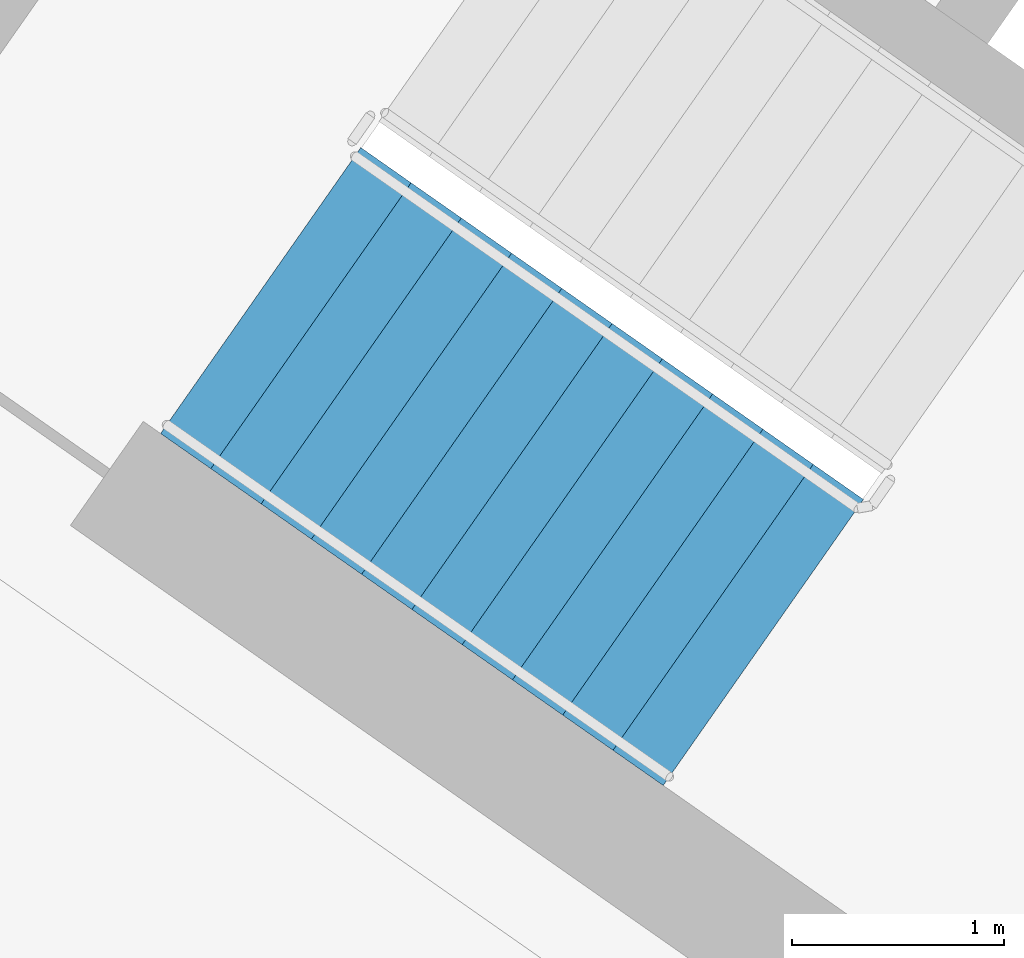
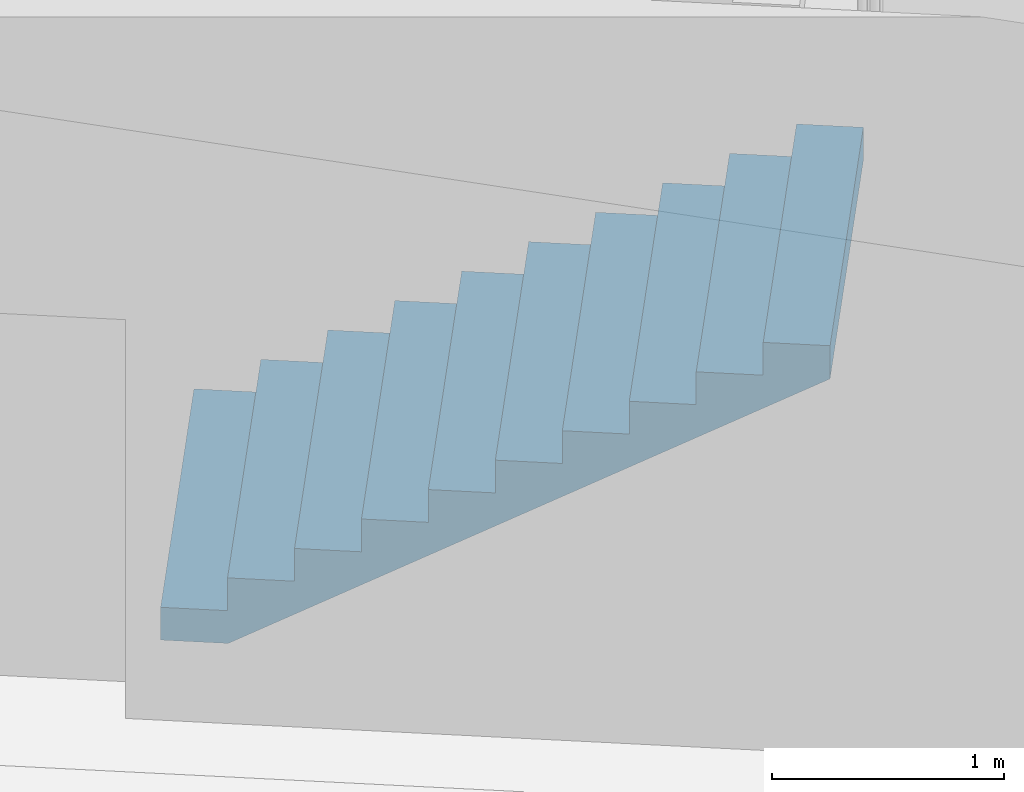
# One storey, part 10 of 28: 1 stair flight, 1 element without a shape of its own.
"""IFC4 building model written with IfcOpenShell, lengths in metres."""

from ifc_helpers import new_model, si_unit, direction, frame, origin, place, context, subcontext, project, spatial, faceted_brep, material, type_object, element, aggregate, save


model = new_model("IFC4")

# Units and contexts
model_context = context("Model", 3, precision=1e-05, world=origin(), true_north=direction((0.0, 1.0)))
body_context = subcontext(model_context, "Body", "Model", "MODEL_VIEW")
ifc_project = project(units=[si_unit("LENGTHUNIT", "METRE"), si_unit("AREAUNIT", "SQUARE_METRE"), si_unit("VOLUMEUNIT", "CUBIC_METRE"), si_unit("PLANEANGLEUNIT", "RADIAN"), si_unit("MASSUNIT", "GRAM", prefix="KILO")], contexts=[model_context])

# Site, building, storey
site_placement = place(None, origin())
site = spatial("IfcSite", under=ifc_project, at=site_placement, CompositionType="ELEMENT")
building_placement = place(site_placement, origin())
building = spatial("IfcBuilding", under=site, at=building_placement, Name="Qamariyya Broadcast Tower", CompositionType="ELEMENT")
storey_placement = place(building_placement, frame((0.0, 0.0, 230.300048828125)))
storey = spatial("IfcBuildingStorey", under=building, at=storey_placement, Name="L55", CompositionType="ELEMENT", Elevation=230.300048828125)

# Stair, stair flight
ifc_material = material(Name="Concrete C50/60", Category="concrete")
stair_type = type_object("IfcStairType", Name="Exit stair 22 risers of 173 mm", PredefinedType="HALF_TURN_STAIR", material=ifc_material)
stair_placement = place(storey_placement, origin())
stair = element("IfcStair", 1, at=stair_placement, inside=storey, type_object=stair_type, Name="L55 Stair W1", PredefinedType="HALF_TURN_STAIR")
stair_flight_type = type_object("IfcStairFlightType", Name="Exit stair flight 11 risers of 173 mm", PredefinedType="STRAIGHT", material=ifc_material)
stair_flight_placement = place(storey_placement, frame((-47.06884765625, -56.982666015625, 0.0), z_axis=(0.0, 0.0, 1.0), x_axis=(0.819152044289, -0.573576436351, 0.0)))
stair_flight = element("IfcStairFlight", 2, at=stair_flight_placement, type_object=stair_flight_type, Name="ST-W1 flight 1", NumberOfRisers=11, NumberOfTreads=10, PredefinedType="STRAIGHT", RiserHeight=0.172727273, TreadLength=0.29, context=body_context, shape_type="Brep", body=[
    faceted_brep([(0.0, 0.824951171875, 0.0), (0.0, 0.824951171875, 0.172607421875), (0.2900390625, 0.824951171875, 0.172607421875), (0.2900390625, 0.824951171875, 0.345458984375), (0.580078125, 0.824951171875, 0.345458984375), (0.580078125, 0.824951171875, 0.51806640625), (0.8701171875, 0.824951171875, 0.51806640625), (0.8701171875, 0.824951171875, 0.69091796875), (1.159912109375, 0.824951171875, 0.69091796875), (1.159912109375, 0.824951171875, 0.863525390625), (1.449951171875, 0.824951171875, 0.863525390625), (1.449951171875, 0.824951171875, 1.036376953125), (1.739990234375, 0.824951171875, 1.036376953125), (1.739990234375, 0.824951171875, 1.208984375), (2.030029296875, 0.824951171875, 1.208984375), (2.030029296875, 0.824951171875, 1.3818359375), (2.320068359375, 0.824951171875, 1.3818359375), (2.320068359375, 0.824951171875, 1.554443359375), (2.610107421875, 0.824951171875, 1.554443359375), (2.610107421875, 0.824951171875, 1.727294921875), (2.89990234375, 0.824951171875, 1.727294921875), (2.89990234375, 0.824951171875, 1.552734375), (0.29296875, 0.824951171875, 0.0), (0.29296875, -0.824951171875, 0.0), (2.89990234375, -0.824951171875, 1.552734375), (2.89990234375, -0.824951171875, 1.727294921875), (2.610107421875, -0.824951171875, 1.727294921875), (2.610107421875, -0.824951171875, 1.554443359375), (2.320068359375, -0.824951171875, 1.554443359375), (2.320068359375, -0.824951171875, 1.3818359375), (2.030029296875, -0.824951171875, 1.3818359375), (2.030029296875, -0.824951171875, 1.208984375), (1.739990234375, -0.824951171875, 1.208984375), (1.739990234375, -0.824951171875, 1.036376953125), (1.449951171875, -0.824951171875, 1.036376953125), (1.449951171875, -0.824951171875, 0.863525390625), (1.159912109375, -0.824951171875, 0.863525390625), (1.159912109375, -0.824951171875, 0.69091796875), (0.8701171875, -0.824951171875, 0.69091796875), (0.8701171875, -0.824951171875, 0.51806640625), (0.580078125, -0.824951171875, 0.51806640625), (0.580078125, -0.824951171875, 0.345458984375), (0.2900390625, -0.824951171875, 0.345458984375), (0.2900390625, -0.824951171875, 0.172607421875), (0.0, -0.824951171875, 0.172607421875), (0.0, -0.824951171875, 0.0), (0.0, 0.10009765625, 0.0), (0.0, 0.086669921875, 0.0), (0.0, 0.0732421875, 0.0), (0.0, 0.06005859375, 0.0), (0.0, 0.046630859375, 0.0), (0.0, 0.033447265625, 0.0), (0.0, 0.02001953125, 0.0), (0.0, 0.006591796875, 0.0), (0.0, -0.006591796875, 0.0), (0.0, -0.02001953125, 0.0), (0.0, -0.033447265625, 0.0), (0.0, -0.046630859375, 0.0), (0.0, -0.06005859375, 0.0), (0.0, -0.0732421875, 0.0), (0.0, -0.086669921875, 0.0), (0.0, -0.10009765625, 0.0), (0.0, -0.10009765625, 0.172607421875), (0.0, -0.086669921875, 0.172607421875), (0.0, -0.0732421875, 0.172607421875), (0.0, -0.06005859375, 0.172607421875), (0.0, -0.046630859375, 0.172607421875), (0.0, -0.033447265625, 0.172607421875), (0.0, -0.02001953125, 0.172607421875), (0.0, -0.006591796875, 0.172607421875), (0.0, 0.006591796875, 0.172607421875), (0.0, 0.02001953125, 0.172607421875), (0.0, 0.033447265625, 0.172607421875), (0.0, 0.046630859375, 0.172607421875), (0.0, 0.06005859375, 0.172607421875), (0.0, 0.0732421875, 0.172607421875), (0.0, 0.086669921875, 0.172607421875), (0.0, 0.10009765625, 0.172607421875), (0.2900390625, -0.10009765625, 0.172607421875), (0.2900390625, -0.086669921875, 0.172607421875), (0.2900390625, -0.0732421875, 0.172607421875), (0.2900390625, -0.06005859375, 0.172607421875), (0.2900390625, -0.046630859375, 0.172607421875), (0.2900390625, -0.033447265625, 0.172607421875), (0.2900390625, -0.02001953125, 0.172607421875), (0.2900390625, -0.006591796875, 0.172607421875), (0.2900390625, 0.006591796875, 0.172607421875), (0.2900390625, 0.02001953125, 0.172607421875), (0.2900390625, 0.033447265625, 0.172607421875), (0.2900390625, 0.046630859375, 0.172607421875), (0.2900390625, 0.06005859375, 0.172607421875), (0.2900390625, 0.0732421875, 0.172607421875), (0.2900390625, 0.086669921875, 0.172607421875), (0.2900390625, 0.10009765625, 0.172607421875), (0.2900390625, -0.10009765625, 0.345458984375), (0.2900390625, -0.086669921875, 0.345458984375), (0.2900390625, -0.0732421875, 0.345458984375), (0.2900390625, -0.06005859375, 0.345458984375), (0.2900390625, -0.046630859375, 0.345458984375), (0.2900390625, -0.033447265625, 0.345458984375), (0.2900390625, -0.02001953125, 0.345458984375), (0.2900390625, -0.006591796875, 0.345458984375), (0.2900390625, 0.006591796875, 0.345458984375), (0.2900390625, 0.02001953125, 0.345458984375), (0.2900390625, 0.033447265625, 0.345458984375), (0.2900390625, 0.046630859375, 0.345458984375), (0.2900390625, 0.06005859375, 0.345458984375), (0.2900390625, 0.0732421875, 0.345458984375), (0.2900390625, 0.086669921875, 0.345458984375), (0.2900390625, 0.10009765625, 0.345458984375), (0.580078125, -0.10009765625, 0.345458984375), (0.580078125, -0.086669921875, 0.345458984375), (0.580078125, -0.0732421875, 0.345458984375), (0.580078125, -0.06005859375, 0.345458984375), (0.580078125, -0.046630859375, 0.345458984375), (0.580078125, -0.033447265625, 0.345458984375), (0.580078125, -0.02001953125, 0.345458984375), (0.580078125, -0.006591796875, 0.345458984375), (0.580078125, 0.006591796875, 0.345458984375), (0.580078125, 0.02001953125, 0.345458984375), (0.580078125, 0.033447265625, 0.345458984375), (0.580078125, 0.046630859375, 0.345458984375), (0.580078125, 0.06005859375, 0.345458984375), (0.580078125, 0.0732421875, 0.345458984375), (0.580078125, 0.086669921875, 0.345458984375), (0.580078125, 0.10009765625, 0.345458984375), (0.580078125, -0.10009765625, 0.51806640625), (0.580078125, -0.086669921875, 0.51806640625), (0.580078125, -0.0732421875, 0.51806640625), (0.580078125, -0.06005859375, 0.51806640625), (0.580078125, -0.046630859375, 0.51806640625), (0.580078125, -0.033447265625, 0.51806640625), (0.580078125, -0.02001953125, 0.51806640625), (0.580078125, -0.006591796875, 0.51806640625), (0.580078125, 0.006591796875, 0.51806640625), (0.580078125, 0.02001953125, 0.51806640625), (0.580078125, 0.033447265625, 0.51806640625), (0.580078125, 0.046630859375, 0.51806640625), (0.580078125, 0.06005859375, 0.51806640625), (0.580078125, 0.0732421875, 0.51806640625), (0.580078125, 0.086669921875, 0.51806640625), (0.580078125, 0.10009765625, 0.51806640625), (0.8701171875, -0.10009765625, 0.51806640625), (0.8701171875, -0.086669921875, 0.51806640625), (0.8701171875, -0.0732421875, 0.51806640625), (0.8701171875, -0.06005859375, 0.51806640625), (0.8701171875, -0.046630859375, 0.51806640625), (0.8701171875, -0.033447265625, 0.51806640625), (0.8701171875, -0.02001953125, 0.51806640625), (0.8701171875, -0.006591796875, 0.51806640625), (0.8701171875, 0.006591796875, 0.51806640625), (0.8701171875, 0.02001953125, 0.51806640625), (0.8701171875, 0.033447265625, 0.51806640625), (0.8701171875, 0.046630859375, 0.51806640625), (0.8701171875, 0.06005859375, 0.51806640625), (0.8701171875, 0.0732421875, 0.51806640625), (0.8701171875, 0.086669921875, 0.51806640625), (0.8701171875, 0.10009765625, 0.51806640625), (0.8701171875, -0.10009765625, 0.69091796875), (0.8701171875, -0.086669921875, 0.69091796875), (0.8701171875, -0.0732421875, 0.69091796875), (0.8701171875, -0.06005859375, 0.69091796875), (0.8701171875, -0.046630859375, 0.69091796875), (0.8701171875, -0.033447265625, 0.69091796875), (0.8701171875, -0.02001953125, 0.69091796875), (0.8701171875, -0.006591796875, 0.69091796875), (0.8701171875, 0.006591796875, 0.69091796875), (0.8701171875, 0.02001953125, 0.69091796875), (0.8701171875, 0.033447265625, 0.69091796875), (0.8701171875, 0.046630859375, 0.69091796875), (0.8701171875, 0.06005859375, 0.69091796875), (0.8701171875, 0.0732421875, 0.69091796875), (0.8701171875, 0.086669921875, 0.69091796875), (0.8701171875, 0.10009765625, 0.69091796875), (1.159912109375, -0.10009765625, 0.69091796875), (1.159912109375, -0.086669921875, 0.69091796875), (1.159912109375, -0.0732421875, 0.69091796875), (1.159912109375, -0.06005859375, 0.69091796875), (1.159912109375, -0.046630859375, 0.69091796875), (1.159912109375, -0.033447265625, 0.69091796875), (1.159912109375, -0.02001953125, 0.69091796875), (1.159912109375, -0.006591796875, 0.69091796875), (1.159912109375, 0.006591796875, 0.69091796875), (1.159912109375, 0.02001953125, 0.69091796875), (1.159912109375, 0.033447265625, 0.69091796875), (1.159912109375, 0.046630859375, 0.69091796875), (1.159912109375, 0.06005859375, 0.69091796875), (1.159912109375, 0.0732421875, 0.69091796875), (1.159912109375, 0.086669921875, 0.69091796875), (1.159912109375, 0.10009765625, 0.69091796875), (1.159912109375, -0.10009765625, 0.863525390625), (1.159912109375, -0.086669921875, 0.863525390625), (1.159912109375, -0.0732421875, 0.863525390625), (1.159912109375, -0.06005859375, 0.863525390625), (1.159912109375, -0.046630859375, 0.863525390625), (1.159912109375, -0.033447265625, 0.863525390625), (1.159912109375, -0.02001953125, 0.863525390625), (1.159912109375, -0.006591796875, 0.863525390625), (1.159912109375, 0.006591796875, 0.863525390625), (1.159912109375, 0.02001953125, 0.863525390625), (1.159912109375, 0.033447265625, 0.863525390625), (1.159912109375, 0.046630859375, 0.863525390625), (1.159912109375, 0.06005859375, 0.863525390625), (1.159912109375, 0.0732421875, 0.863525390625), (1.159912109375, 0.086669921875, 0.863525390625), (1.159912109375, 0.10009765625, 0.863525390625), (1.449951171875, -0.10009765625, 0.863525390625), (1.449951171875, -0.086669921875, 0.863525390625), (1.449951171875, -0.0732421875, 0.863525390625), (1.449951171875, -0.06005859375, 0.863525390625), (1.449951171875, -0.046630859375, 0.863525390625), (1.449951171875, -0.033447265625, 0.863525390625), (1.449951171875, -0.02001953125, 0.863525390625), (1.449951171875, -0.006591796875, 0.863525390625), (1.449951171875, 0.006591796875, 0.863525390625), (1.449951171875, 0.02001953125, 0.863525390625), (1.449951171875, 0.033447265625, 0.863525390625), (1.449951171875, 0.046630859375, 0.863525390625), (1.449951171875, 0.06005859375, 0.863525390625), (1.449951171875, 0.0732421875, 0.863525390625), (1.449951171875, 0.086669921875, 0.863525390625), (1.449951171875, 0.10009765625, 0.863525390625), (1.449951171875, -0.10009765625, 1.036376953125), (1.449951171875, -0.086669921875, 1.036376953125), (1.449951171875, -0.0732421875, 1.036376953125), (1.449951171875, -0.06005859375, 1.036376953125), (1.449951171875, -0.046630859375, 1.036376953125), (1.449951171875, -0.033447265625, 1.036376953125), (1.449951171875, -0.02001953125, 1.036376953125), (1.449951171875, -0.006591796875, 1.036376953125), (1.449951171875, 0.006591796875, 1.036376953125), (1.449951171875, 0.02001953125, 1.036376953125), (1.449951171875, 0.033447265625, 1.036376953125), (1.449951171875, 0.046630859375, 1.036376953125), (1.449951171875, 0.06005859375, 1.036376953125), (1.449951171875, 0.0732421875, 1.036376953125), (1.449951171875, 0.086669921875, 1.036376953125), (1.449951171875, 0.10009765625, 1.036376953125), (1.739990234375, -0.10009765625, 1.036376953125), (1.739990234375, -0.086669921875, 1.036376953125), (1.739990234375, -0.0732421875, 1.036376953125), (1.739990234375, -0.06005859375, 1.036376953125), (1.739990234375, -0.046630859375, 1.036376953125), (1.739990234375, -0.033447265625, 1.036376953125), (1.739990234375, -0.02001953125, 1.036376953125), (1.739990234375, -0.006591796875, 1.036376953125), (1.739990234375, 0.006591796875, 1.036376953125), (1.739990234375, 0.02001953125, 1.036376953125), (1.739990234375, 0.033447265625, 1.036376953125), (1.739990234375, 0.046630859375, 1.036376953125), (1.739990234375, 0.06005859375, 1.036376953125), (1.739990234375, 0.0732421875, 1.036376953125), (1.739990234375, 0.086669921875, 1.036376953125), (1.739990234375, 0.10009765625, 1.036376953125), (1.739990234375, -0.10009765625, 1.208984375), (1.739990234375, -0.086669921875, 1.208984375), (1.739990234375, -0.0732421875, 1.208984375), (1.739990234375, -0.06005859375, 1.208984375), (1.739990234375, -0.046630859375, 1.208984375), (1.739990234375, -0.033447265625, 1.208984375), (1.739990234375, -0.02001953125, 1.208984375), (1.739990234375, -0.006591796875, 1.208984375), (1.739990234375, 0.006591796875, 1.208984375), (1.739990234375, 0.02001953125, 1.208984375), (1.739990234375, 0.033447265625, 1.208984375), (1.739990234375, 0.046630859375, 1.208984375), (1.739990234375, 0.06005859375, 1.208984375), (1.739990234375, 0.0732421875, 1.208984375), (1.739990234375, 0.086669921875, 1.208984375), (1.739990234375, 0.10009765625, 1.208984375), (2.030029296875, -0.10009765625, 1.208984375), (2.030029296875, -0.086669921875, 1.208984375), (2.030029296875, -0.0732421875, 1.208984375), (2.030029296875, -0.06005859375, 1.208984375), (2.030029296875, -0.046630859375, 1.208984375), (2.030029296875, -0.033447265625, 1.208984375), (2.030029296875, -0.02001953125, 1.208984375), (2.030029296875, -0.006591796875, 1.208984375), (2.030029296875, 0.006591796875, 1.208984375), (2.030029296875, 0.02001953125, 1.208984375), (2.030029296875, 0.033447265625, 1.208984375), (2.030029296875, 0.046630859375, 1.208984375), (2.030029296875, 0.06005859375, 1.208984375), (2.030029296875, 0.0732421875, 1.208984375), (2.030029296875, 0.086669921875, 1.208984375), (2.030029296875, 0.10009765625, 1.208984375), (2.030029296875, -0.10009765625, 1.3818359375), (2.030029296875, -0.086669921875, 1.3818359375), (2.030029296875, -0.0732421875, 1.3818359375), (2.030029296875, -0.06005859375, 1.3818359375), (2.030029296875, -0.046630859375, 1.3818359375), (2.030029296875, -0.033447265625, 1.3818359375), (2.030029296875, -0.02001953125, 1.3818359375), (2.030029296875, -0.006591796875, 1.3818359375), (2.030029296875, 0.006591796875, 1.3818359375), (2.030029296875, 0.02001953125, 1.3818359375), (2.030029296875, 0.033447265625, 1.3818359375), (2.030029296875, 0.046630859375, 1.3818359375), (2.030029296875, 0.06005859375, 1.3818359375), (2.030029296875, 0.0732421875, 1.3818359375), (2.030029296875, 0.086669921875, 1.3818359375), (2.030029296875, 0.10009765625, 1.3818359375), (2.320068359375, -0.10009765625, 1.3818359375), (2.320068359375, -0.086669921875, 1.3818359375), (2.320068359375, -0.0732421875, 1.3818359375), (2.320068359375, -0.06005859375, 1.3818359375), (2.320068359375, -0.046630859375, 1.3818359375), (2.320068359375, -0.033447265625, 1.3818359375), (2.320068359375, -0.02001953125, 1.3818359375), (2.320068359375, -0.006591796875, 1.3818359375), (2.320068359375, 0.006591796875, 1.3818359375), (2.320068359375, 0.02001953125, 1.3818359375), (2.320068359375, 0.033447265625, 1.3818359375), (2.320068359375, 0.046630859375, 1.3818359375), (2.320068359375, 0.06005859375, 1.3818359375), (2.320068359375, 0.0732421875, 1.3818359375), (2.320068359375, 0.086669921875, 1.3818359375), (2.320068359375, 0.10009765625, 1.3818359375), (2.320068359375, -0.10009765625, 1.554443359375), (2.320068359375, -0.086669921875, 1.554443359375), (2.320068359375, -0.0732421875, 1.554443359375), (2.320068359375, -0.06005859375, 1.554443359375), (2.320068359375, -0.046630859375, 1.554443359375), (2.320068359375, -0.033447265625, 1.554443359375), (2.320068359375, -0.02001953125, 1.554443359375), (2.320068359375, -0.006591796875, 1.554443359375), (2.320068359375, 0.006591796875, 1.554443359375), (2.320068359375, 0.02001953125, 1.554443359375), (2.320068359375, 0.033447265625, 1.554443359375), (2.320068359375, 0.046630859375, 1.554443359375), (2.320068359375, 0.06005859375, 1.554443359375), (2.320068359375, 0.0732421875, 1.554443359375), (2.320068359375, 0.086669921875, 1.554443359375), (2.320068359375, 0.10009765625, 1.554443359375), (2.610107421875, -0.10009765625, 1.554443359375), (2.610107421875, -0.086669921875, 1.554443359375), (2.610107421875, -0.0732421875, 1.554443359375), (2.610107421875, -0.06005859375, 1.554443359375), (2.610107421875, -0.046630859375, 1.554443359375), (2.610107421875, -0.033447265625, 1.554443359375), (2.610107421875, -0.02001953125, 1.554443359375), (2.610107421875, -0.006591796875, 1.554443359375), (2.610107421875, 0.006591796875, 1.554443359375), (2.610107421875, 0.02001953125, 1.554443359375), (2.610107421875, 0.033447265625, 1.554443359375), (2.610107421875, 0.046630859375, 1.554443359375), (2.610107421875, 0.06005859375, 1.554443359375), (2.610107421875, 0.0732421875, 1.554443359375), (2.610107421875, 0.086669921875, 1.554443359375), (2.610107421875, 0.10009765625, 1.554443359375), (2.610107421875, -0.10009765625, 1.727294921875), (2.610107421875, -0.086669921875, 1.727294921875), (2.610107421875, -0.0732421875, 1.727294921875), (2.610107421875, -0.06005859375, 1.727294921875), (2.610107421875, -0.046630859375, 1.727294921875), (2.610107421875, -0.033447265625, 1.727294921875), (2.610107421875, -0.02001953125, 1.727294921875), (2.610107421875, -0.006591796875, 1.727294921875), (2.610107421875, 0.006591796875, 1.727294921875), (2.610107421875, 0.02001953125, 1.727294921875), (2.610107421875, 0.033447265625, 1.727294921875), (2.610107421875, 0.046630859375, 1.727294921875), (2.610107421875, 0.06005859375, 1.727294921875), (2.610107421875, 0.0732421875, 1.727294921875), (2.610107421875, 0.086669921875, 1.727294921875), (2.610107421875, 0.10009765625, 1.727294921875), (2.89990234375, -0.10009765625, 1.727294921875), (2.89990234375, -0.086669921875, 1.727294921875), (2.89990234375, -0.0732421875, 1.727294921875), (2.89990234375, -0.06005859375, 1.727294921875), (2.89990234375, -0.046630859375, 1.727294921875), (2.89990234375, -0.033447265625, 1.727294921875), (2.89990234375, -0.02001953125, 1.727294921875), (2.89990234375, -0.006591796875, 1.727294921875), (2.89990234375, 0.006591796875, 1.727294921875), (2.89990234375, 0.02001953125, 1.727294921875), (2.89990234375, 0.033447265625, 1.727294921875), (2.89990234375, 0.046630859375, 1.727294921875), (2.89990234375, 0.06005859375, 1.727294921875), (2.89990234375, 0.0732421875, 1.727294921875), (2.89990234375, 0.086669921875, 1.727294921875), (2.89990234375, 0.10009765625, 1.727294921875), (2.89990234375, -0.10009765625, 1.552734375), (2.89990234375, -0.086669921875, 1.552734375), (2.89990234375, -0.0732421875, 1.552734375), (2.89990234375, -0.06005859375, 1.552734375), (2.89990234375, -0.046630859375, 1.552734375), (2.89990234375, -0.033447265625, 1.552734375), (2.89990234375, -0.02001953125, 1.552734375), (2.89990234375, -0.006591796875, 1.552734375), (2.89990234375, 0.006591796875, 1.552734375), (2.89990234375, 0.02001953125, 1.552734375), (2.89990234375, 0.033447265625, 1.552734375), (2.89990234375, 0.046630859375, 1.552734375), (2.89990234375, 0.06005859375, 1.552734375), (2.89990234375, 0.0732421875, 1.552734375), (2.89990234375, 0.086669921875, 1.552734375), (2.89990234375, 0.10009765625, 1.552734375), (0.29296875, -0.10009765625, 0.0), (0.29296875, -0.086669921875, 0.0), (0.29296875, -0.0732421875, 0.0), (0.29296875, -0.06005859375, 0.0), (0.29296875, -0.046630859375, 0.0), (0.29296875, -0.033447265625, 0.0), (0.29296875, -0.02001953125, 0.0), (0.29296875, -0.006591796875, 0.0), (0.29296875, 0.006591796875, 0.0), (0.29296875, 0.02001953125, 0.0), (0.29296875, 0.033447265625, 0.0), (0.29296875, 0.046630859375, 0.0), (0.29296875, 0.06005859375, 0.0), (0.29296875, 0.0732421875, 0.0), (0.29296875, 0.086669921875, 0.0), (0.29296875, 0.10009765625, 0.0)], [[[0, 1, 2, 3, 4, 5, 6, 7, 8, 9, 10, 11, 12, 13, 14, 15, 16, 17, 18, 19, 20, 21, 22]], [[23, 24, 25, 26, 27, 28, 29, 30, 31, 32, 33, 34, 35, 36, 37, 38, 39, 40, 41, 42, 43, 44, 45]], [[0, 46, 47, 48, 49, 50, 51, 52, 53, 54, 55, 56, 57, 58, 59, 60, 61, 45, 44, 62, 63, 64, 65, 66, 67, 68, 69, 70, 71, 72, 73, 74, 75, 76, 77, 1]], [[1, 77, 76, 75, 74, 73, 72, 71, 70, 69, 68, 67, 66, 65, 64, 63, 62, 44, 43, 78, 79, 80, 81, 82, 83, 84, 85, 86, 87, 88, 89, 90, 91, 92, 93, 2]], [[2, 93, 92, 91, 90, 89, 88, 87, 86, 85, 84, 83, 82, 81, 80, 79, 78, 43, 42, 94, 95, 96, 97, 98, 99, 100, 101, 102, 103, 104, 105, 106, 107, 108, 109, 3]], [[3, 109, 108, 107, 106, 105, 104, 103, 102, 101, 100, 99, 98, 97, 96, 95, 94, 42, 41, 110, 111, 112, 113, 114, 115, 116, 117, 118, 119, 120, 121, 122, 123, 124, 125, 4]], [[4, 125, 124, 123, 122, 121, 120, 119, 118, 117, 116, 115, 114, 113, 112, 111, 110, 41, 40, 126, 127, 128, 129, 130, 131, 132, 133, 134, 135, 136, 137, 138, 139, 140, 141, 5]], [[5, 141, 140, 139, 138, 137, 136, 135, 134, 133, 132, 131, 130, 129, 128, 127, 126, 40, 39, 142, 143, 144, 145, 146, 147, 148, 149, 150, 151, 152, 153, 154, 155, 156, 157, 6]], [[6, 157, 156, 155, 154, 153, 152, 151, 150, 149, 148, 147, 146, 145, 144, 143, 142, 39, 38, 158, 159, 160, 161, 162, 163, 164, 165, 166, 167, 168, 169, 170, 171, 172, 173, 7]], [[7, 173, 172, 171, 170, 169, 168, 167, 166, 165, 164, 163, 162, 161, 160, 159, 158, 38, 37, 174, 175, 176, 177, 178, 179, 180, 181, 182, 183, 184, 185, 186, 187, 188, 189, 8]], [[8, 189, 188, 187, 186, 185, 184, 183, 182, 181, 180, 179, 178, 177, 176, 175, 174, 37, 36, 190, 191, 192, 193, 194, 195, 196, 197, 198, 199, 200, 201, 202, 203, 204, 205, 9]], [[9, 205, 204, 203, 202, 201, 200, 199, 198, 197, 196, 195, 194, 193, 192, 191, 190, 36, 35, 206, 207, 208, 209, 210, 211, 212, 213, 214, 215, 216, 217, 218, 219, 220, 221, 10]], [[10, 221, 220, 219, 218, 217, 216, 215, 214, 213, 212, 211, 210, 209, 208, 207, 206, 35, 34, 222, 223, 224, 225, 226, 227, 228, 229, 230, 231, 232, 233, 234, 235, 236, 237, 11]], [[11, 237, 236, 235, 234, 233, 232, 231, 230, 229, 228, 227, 226, 225, 224, 223, 222, 34, 33, 238, 239, 240, 241, 242, 243, 244, 245, 246, 247, 248, 249, 250, 251, 252, 253, 12]], [[12, 253, 252, 251, 250, 249, 248, 247, 246, 245, 244, 243, 242, 241, 240, 239, 238, 33, 32, 254, 255, 256, 257, 258, 259, 260, 261, 262, 263, 264, 265, 266, 267, 268, 269, 13]], [[13, 269, 268, 267, 266, 265, 264, 263, 262, 261, 260, 259, 258, 257, 256, 255, 254, 32, 31, 270, 271, 272, 273, 274, 275, 276, 277, 278, 279, 280, 281, 282, 283, 284, 285, 14]], [[14, 285, 284, 283, 282, 281, 280, 279, 278, 277, 276, 275, 274, 273, 272, 271, 270, 31, 30, 286, 287, 288, 289, 290, 291, 292, 293, 294, 295, 296, 297, 298, 299, 300, 301, 15]], [[15, 301, 300, 299, 298, 297, 296, 295, 294, 293, 292, 291, 290, 289, 288, 287, 286, 30, 29, 302, 303, 304, 305, 306, 307, 308, 309, 310, 311, 312, 313, 314, 315, 316, 317, 16]], [[16, 317, 316, 315, 314, 313, 312, 311, 310, 309, 308, 307, 306, 305, 304, 303, 302, 29, 28, 318, 319, 320, 321, 322, 323, 324, 325, 326, 327, 328, 329, 330, 331, 332, 333, 17]], [[17, 333, 332, 331, 330, 329, 328, 327, 326, 325, 324, 323, 322, 321, 320, 319, 318, 28, 27, 334, 335, 336, 337, 338, 339, 340, 341, 342, 343, 344, 345, 346, 347, 348, 349, 18]], [[18, 349, 348, 347, 346, 345, 344, 343, 342, 341, 340, 339, 338, 337, 336, 335, 334, 27, 26, 350, 351, 352, 353, 354, 355, 356, 357, 358, 359, 360, 361, 362, 363, 364, 365, 19]], [[19, 365, 364, 363, 362, 361, 360, 359, 358, 357, 356, 355, 354, 353, 352, 351, 350, 26, 25, 366, 367, 368, 369, 370, 371, 372, 373, 374, 375, 376, 377, 378, 379, 380, 381, 20]], [[20, 381, 380, 379, 378, 377, 376, 375, 374, 373, 372, 371, 370, 369, 368, 367, 366, 25, 24, 382, 383, 384, 385, 386, 387, 388, 389, 390, 391, 392, 393, 394, 395, 396, 397, 21]], [[21, 397, 396, 395, 394, 393, 392, 391, 390, 389, 388, 387, 386, 385, 384, 383, 382, 24, 23, 398, 399, 400, 401, 402, 403, 404, 405, 406, 407, 408, 409, 410, 411, 412, 413, 22]], [[22, 413, 412, 411, 410, 409, 408, 407, 406, 405, 404, 403, 402, 401, 400, 399, 398, 23, 45, 61, 60, 59, 58, 57, 56, 55, 54, 53, 52, 51, 50, 49, 48, 47, 46, 0]]]),
])
aggregate(stair, [stair_flight])

save(model, "model.ifc")
